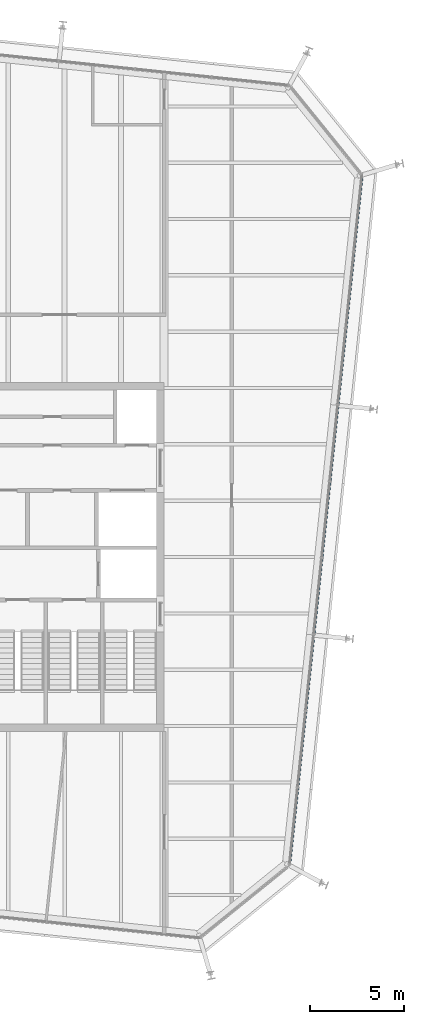
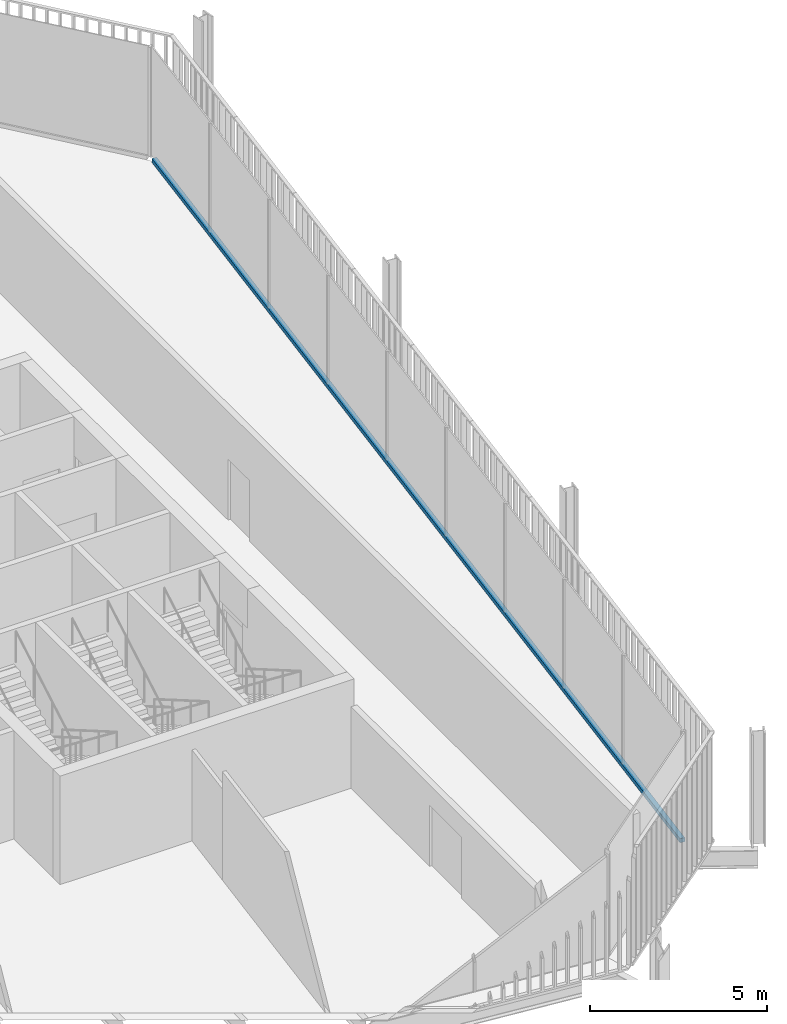
# One storey, part 10 of 20: 1 member, 1 element without a shape of its own.
"""IFC4 building model written with IfcOpenShell, lengths in metres."""

from ifc_helpers import new_model, si_unit, direction, frame, origin, origin_2d, place, context, subcontext, project, spatial, rectangle, extrude, material, layer, layer_set, material_profile, profile_set, type_object, element, aggregate, save


model = new_model("IFC4")

# Units and contexts
model_context = context("Model", 3, precision=1e-05, world=origin(), true_north=direction((0.0, 1.0)))
body_context = subcontext(model_context, "Body", "Model", "MODEL_VIEW")
ifc_project = project(units=[si_unit("LENGTHUNIT", "METRE"), si_unit("AREAUNIT", "SQUARE_METRE"), si_unit("VOLUMEUNIT", "CUBIC_METRE"), si_unit("PLANEANGLEUNIT", "RADIAN"), si_unit("MASSUNIT", "GRAM", prefix="KILO")], contexts=[model_context])

# Site, building, storey
site_placement = place(None, origin())
site = spatial("IfcSite", under=ifc_project, at=site_placement, CompositionType="ELEMENT")
building_placement = place(site_placement, origin())
building = spatial("IfcBuilding", under=site, at=building_placement, Name="Millrace Tower", CompositionType="ELEMENT")
storey_placement = place(building_placement, frame((0.0, 0.0, 295.5)))
storey = spatial("IfcBuildingStorey", under=building, at=storey_placement, Name="L68", CompositionType="ELEMENT", Elevation=295.5)

# Curtain wall, member
ifc_material_1 = material(Name="Aluminium and glass", Category="aluminium")
ifc_layer = layer(ifc_material_1, 0.14990234375)
ifc_layer_set = layer_set([ifc_layer], Name="Aluminium and glass")
curtain_wall_type = type_object("IfcCurtainWallType", Name="CW-1 office vision curtain wall", PredefinedType="NOTDEFINED", material=ifc_layer_set)
curtain_wall_placement = place(storey_placement, origin())
curtain_wall = element("IfcCurtainWall", 1, at=curtain_wall_placement, inside=storey, type_object=curtain_wall_type, Name="Curtain wall E-F04 L68", PredefinedType="NOTDEFINED")
ifc_material_2 = material(Name="Aluminium", Category="aluminium")
ifc_material_profile = material_profile(ifc_material_2, rectangle(XDim=0.14990234375, YDim=0.139892578125, at=origin_2d()))
ifc_profile_set = profile_set([ifc_material_profile], Name="Aluminium")
member_type = type_object("IfcMemberType", Name="CW-1 office vision curtain wall transom", PredefinedType="USERDEFINED", material=ifc_profile_set)
member_placement = place(storey_placement, frame((20.98193359375, -16.285400390625, 0.070068359375), z_axis=(0.104527916025, 0.994521952886, 0.0), x_axis=(-0.994521952886, 0.104527916025, 0.0)))
member = element("IfcMember", 2, at=member_placement, type_object=member_type, Name="CW1 transom E-F04.1", ObjectType="TRANSOM", PredefinedType="USERDEFINED", context=body_context, shape_type="SweptSolid", body=[
    extrude(rectangle(XDim=0.14990234375, YDim=0.139892578125, at=origin_2d()), origin(), (0.0, 0.0, 1.0), 36.699951171875),
])
aggregate(curtain_wall, [member])

save(model, "model.ifc")
